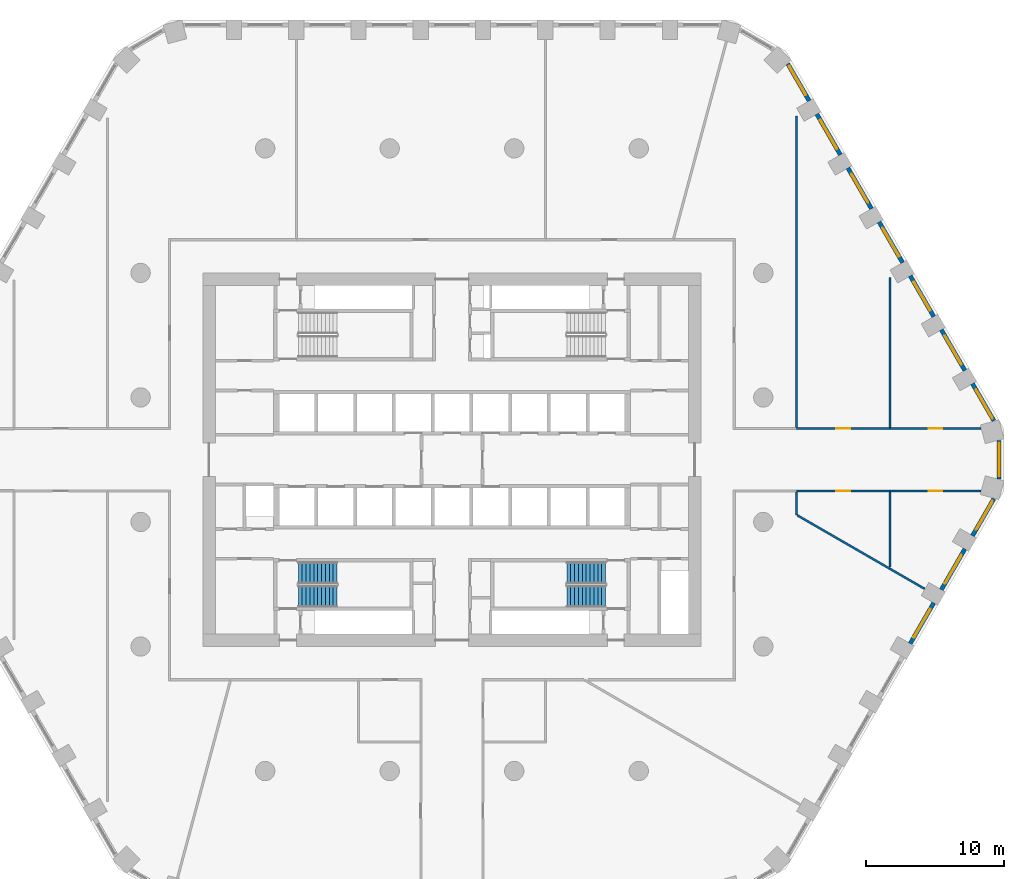
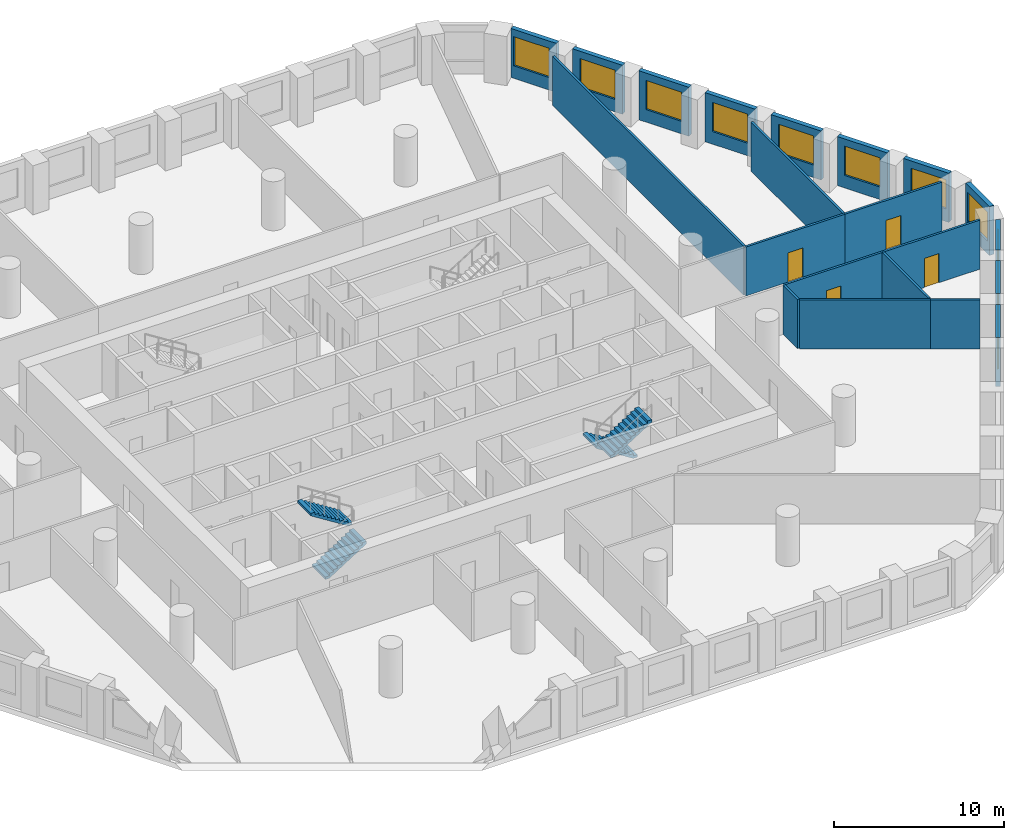
# One storey, part 8 of 10: 21 walls, 11 windows, 4 doors, 4 stair flights, 15 openings, 2 elements without a shape of their own.
"""IFC4 building model written with IfcOpenShell, lengths in metres."""

from ifc_helpers import new_model, si_unit, direction, frame, frame_2d, origin, place, context, subcontext, project, spatial, polyline, rectangle, outline, extrude, material, layer, layer_set, type_object, element, fill, aggregate, save


model = new_model("IFC4")

# Units and contexts
model_context = context("Model", 3, precision=1e-05, world=origin(), true_north=direction((0.0, 1.0)))
body_context = subcontext(model_context, "Body", "Model", "MODEL_VIEW")
ifc_project = project(units=[si_unit("LENGTHUNIT", "METRE"), si_unit("AREAUNIT", "SQUARE_METRE"), si_unit("VOLUMEUNIT", "CUBIC_METRE"), si_unit("PLANEANGLEUNIT", "RADIAN"), si_unit("MASSUNIT", "GRAM", prefix="KILO")], contexts=[model_context])

# Site, building, storey
site_placement = place(None, origin())
site = spatial("IfcSite", under=ifc_project, at=site_placement, CompositionType="ELEMENT")
building_placement = place(site_placement, origin())
building = spatial("IfcBuilding", under=site, at=building_placement, Name="Dhurran Vertical Campus", CompositionType="ELEMENT")
storey_placement = place(building_placement, frame((0.0, 0.0, 69.0)))
storey = spatial("IfcBuildingStorey", under=building, at=storey_placement, Name="L16", CompositionType="ELEMENT", Elevation=69.0)

# Wall, opening, window
ifc_material_1 = material(Name="Precast concrete C50/60", Category="concrete")
ifc_layer_1 = layer(ifc_material_1, 0.300048828125)
ifc_layer_set_1 = layer_set([ifc_layer_1], Name="Precast concrete C50/60")
wall_type_1 = type_object("IfcWallType", Name="Precast spandrel wall 300", PredefinedType="SOLIDWALL", material=ifc_layer_set_1)
wall_1_placement = place(storey_placement, frame((33.119384765625, -13.28955078125, 0.0), z_axis=(0.0, 0.0, 1.0), x_axis=(0.499993955907, 0.866028893315, 0.0)))
wall_1 = element("IfcWall", 1, at=wall_1_placement, inside=storey, type_object=wall_type_1, Name="EW1 L16.14", PredefinedType="SOLIDWALL", context=body_context, shape_type="SweptSolid", body=[
    extrude(rectangle(XDim=3.39892578125, YDim=0.300048828125, at=frame_2d((1.699462890625, 0.0))), origin(), (0.0, 0.0, 1.0), 3.52490234375),
])
opening_1_placement = place(wall_1_placement, frame((0.49951171875, 0.0, 0.89990234375)))
opening_1 = element("IfcOpeningElement", 2, at=opening_1_placement, cuts=wall_1, Name="Opening WT1", PredefinedType="OPENING", context=body_context, shape_type="SweptSolid", body=[
    extrude(rectangle(XDim=2.39990234375, YDim=2.10009765625, at=frame_2d((1.199951171875, 1.050048828125))), frame((0.0, 0.159912109375, 0.0), z_axis=(0.0, -1.0, 0.0), x_axis=(1.0, 0.0, 0.0)), (0.0, 0.0, 1.0), 0.320068359375),
])
ifc_material_2 = material(Name="Aluminium frame with solar-control glass", Category="aluminium")
window_type = type_object("IfcWindowType", Name="Punched window 2400 x 2100", PartitioningType="SINGLE_PANEL", PredefinedType="WINDOW", material=ifc_material_2)
window_1_placement = place(opening_1_placement, origin())
window_1 = element("IfcWindow", 3, at=window_1_placement, inside=storey, type_object=window_type, Name="WT1 L16.14", OverallHeight=2.10009765625, OverallWidth=2.39990234375, PartitioningType="SINGLE_PANEL", PredefinedType="WINDOW", context=body_context, shape_type="SweptSolid", body=[
    extrude(rectangle(XDim=2.39990234375, YDim=2.10009765625, at=frame_2d((1.199951171875, 1.050048828125))), frame((0.0, 0.030029296875, 0.0), z_axis=(0.0, -1.0, 0.0), x_axis=(1.0, 0.0, 0.0)), (0.0, 0.0, 1.0), 0.06005859375),
])
fill(opening_1, window_1)

wall_2_placement = place(storey_placement, frame((35.369384765625, -9.392578125, 0.0), z_axis=(0.0, 0.0, 1.0), x_axis=(0.499993955907, 0.866028893315, 0.0)))
wall_2 = element("IfcWall", 4, at=wall_2_placement, inside=storey, type_object=wall_type_1, Name="EW1 L16.15", PredefinedType="SOLIDWALL", context=body_context, shape_type="SweptSolid", body=[
    extrude(rectangle(XDim=3.39892578125, YDim=0.300048828125, at=frame_2d((1.699462890625, 0.0))), origin(), (0.0, 0.0, 1.0), 3.52490234375),
])
opening_2_placement = place(wall_2_placement, frame((0.49951171875, 0.0, 0.89990234375)))
opening_2 = element("IfcOpeningElement", 5, at=opening_2_placement, cuts=wall_2, Name="Opening WT1", PredefinedType="OPENING", context=body_context, shape_type="SweptSolid", body=[
    extrude(rectangle(XDim=2.39990234375, YDim=2.10009765625, at=frame_2d((1.199951171875, 1.050048828125))), frame((0.0, 0.159912109375, 0.0), z_axis=(0.0, -1.0, 0.0), x_axis=(1.0, 0.0, 0.0)), (0.0, 0.0, 1.0), 0.320068359375),
])
window_2_placement = place(opening_2_placement, origin())
window_2 = element("IfcWindow", 6, at=window_2_placement, inside=storey, type_object=window_type, Name="WT1 L16.15", OverallHeight=2.10009765625, OverallWidth=2.39990234375, PartitioningType="SINGLE_PANEL", PredefinedType="WINDOW", context=body_context, shape_type="SweptSolid", body=[
    extrude(rectangle(XDim=2.39990234375, YDim=2.10009765625, at=frame_2d((1.199951171875, 1.050048828125))), frame((0.0, 0.030029296875, 0.0), z_axis=(0.0, -1.0, 0.0), x_axis=(1.0, 0.0, 0.0)), (0.0, 0.0, 1.0), 0.06005859375),
])
fill(opening_2, window_2)

wall_3_placement = place(storey_placement, frame((37.619384765625, -5.495361328125, 0.0), z_axis=(0.0, 0.0, 1.0), x_axis=(0.49997090907, 0.866042198789, 0.0)))
wall_3 = element("IfcWall", 7, at=wall_3_placement, inside=storey, type_object=wall_type_1, Name="EW1 L16.16", PredefinedType="SOLIDWALL", context=body_context, shape_type="SweptSolid", body=[
    extrude(rectangle(XDim=3.090576171875, YDim=0.300048828125, at=frame_2d((1.54541015625, 0.0))), origin(), (0.0, 0.0, 1.0), 3.52490234375),
])
opening_3_placement = place(wall_3_placement, frame((0.49951171875, 0.0, 0.89990234375)))
opening_3 = element("IfcOpeningElement", 8, at=opening_3_placement, cuts=wall_3, Name="Opening WT1", PredefinedType="OPENING", context=body_context, shape_type="SweptSolid", body=[
    extrude(rectangle(XDim=2.39990234375, YDim=2.10009765625, at=frame_2d((1.199951171875, 1.050048828125))), frame((0.0, 0.159912109375, 0.0), z_axis=(0.0, -1.0, 0.0), x_axis=(1.0, 0.0, 0.0)), (0.0, 0.0, 1.0), 0.320068359375),
])
window_3_placement = place(opening_3_placement, origin())
window_3 = element("IfcWindow", 9, at=window_3_placement, inside=storey, type_object=window_type, Name="WT1 L16.16", OverallHeight=2.10009765625, OverallWidth=2.39990234375, PartitioningType="SINGLE_PANEL", PredefinedType="WINDOW", context=body_context, shape_type="SweptSolid", body=[
    extrude(rectangle(XDim=2.39990234375, YDim=2.10009765625, at=frame_2d((1.199951171875, 1.050048828125))), frame((0.0, 0.030029296875, 0.0), z_axis=(0.0, -1.0, 0.0), x_axis=(1.0, 0.0, 0.0)), (0.0, 0.0, 1.0), 0.06005859375),
])
fill(opening_3, window_3)

wall_4_placement = place(storey_placement, frame((39.547119140625, -1.39111328125, 0.0), z_axis=(0.0, 0.0, 1.0), x_axis=(0.0, 1.0, 0.0)))
wall_4 = element("IfcWall", 10, at=wall_4_placement, inside=storey, type_object=wall_type_1, Name="EW1 L16.17", PredefinedType="SOLIDWALL", context=body_context, shape_type="SweptSolid", body=[
    extrude(rectangle(XDim=2.7822265625, YDim=0.300048828125, at=frame_2d((1.39111328125, 0.0))), origin(), (0.0, 0.0, 1.0), 3.52490234375),
])
opening_4_placement = place(wall_4_placement, frame((0.191162109375, 0.0, 0.89990234375)))
opening_4 = element("IfcOpeningElement", 11, at=opening_4_placement, cuts=wall_4, Name="Opening WT1", PredefinedType="OPENING", context=body_context, shape_type="SweptSolid", body=[
    extrude(rectangle(XDim=2.39990234375, YDim=2.10009765625, at=frame_2d((1.199951171875, 1.050048828125))), frame((0.0, 0.159912109375, 0.0), z_axis=(0.0, -1.0, 0.0), x_axis=(1.0, 0.0, 0.0)), (0.0, 0.0, 1.0), 0.320068359375),
])
window_4_placement = place(opening_4_placement, origin())
window_4 = element("IfcWindow", 12, at=window_4_placement, inside=storey, type_object=window_type, Name="WT1 L16.17", OverallHeight=2.10009765625, OverallWidth=2.39990234375, PartitioningType="SINGLE_PANEL", PredefinedType="WINDOW", context=body_context, shape_type="SweptSolid", body=[
    extrude(rectangle(XDim=2.39990234375, YDim=2.10009765625, at=frame_2d((1.199951171875, 1.050048828125))), frame((0.0, 0.030029296875, 0.0), z_axis=(0.0, -1.0, 0.0), x_axis=(1.0, 0.0, 0.0)), (0.0, 0.0, 1.0), 0.06005859375),
])
fill(opening_4, window_4)

wall_5_placement = place(storey_placement, frame((39.16455078125, 2.81884765625, 0.0), z_axis=(0.0, 0.0, 1.0), x_axis=(-0.49997090907, 0.866042198789, 0.0)))
wall_5 = element("IfcWall", 13, at=wall_5_placement, inside=storey, type_object=wall_type_1, Name="EW1 L16.18", PredefinedType="SOLIDWALL", context=body_context, shape_type="SweptSolid", body=[
    extrude(rectangle(XDim=3.090576171875, YDim=0.300048828125, at=frame_2d((1.54541015625, 0.0))), origin(), (0.0, 0.0, 1.0), 3.52490234375),
])
opening_5_placement = place(wall_5_placement, frame((0.19091796875, 0.0, 0.89990234375)))
opening_5 = element("IfcOpeningElement", 14, at=opening_5_placement, cuts=wall_5, Name="Opening WT1", PredefinedType="OPENING", context=body_context, shape_type="SweptSolid", body=[
    extrude(rectangle(XDim=2.39990234375, YDim=2.10009765625, at=frame_2d((1.199951171875, 1.050048828125))), frame((0.0, 0.159912109375, 0.0), z_axis=(0.0, -1.0, 0.0), x_axis=(1.0, 0.0, 0.0)), (0.0, 0.0, 1.0), 0.320068359375),
])
window_5_placement = place(opening_5_placement, origin())
window_5 = element("IfcWindow", 15, at=window_5_placement, inside=storey, type_object=window_type, Name="WT1 L16.18", OverallHeight=2.10009765625, OverallWidth=2.39990234375, PartitioningType="SINGLE_PANEL", PredefinedType="WINDOW", context=body_context, shape_type="SweptSolid", body=[
    extrude(rectangle(XDim=2.39990234375, YDim=2.10009765625, at=frame_2d((1.199951171875, 1.050048828125))), frame((0.0, 0.030029296875, 0.0), z_axis=(0.0, -1.0, 0.0), x_axis=(1.0, 0.0, 0.0)), (0.0, 0.0, 1.0), 0.06005859375),
])
fill(opening_5, window_5)

wall_6_placement = place(storey_placement, frame((37.06884765625, 6.448974609375, 0.0), z_axis=(0.0, 0.0, 1.0), x_axis=(-0.499993955907, 0.866028893315, 0.0)))
wall_6 = element("IfcWall", 16, at=wall_6_placement, inside=storey, type_object=wall_type_1, Name="EW1 L16.19", PredefinedType="SOLIDWALL", context=body_context, shape_type="SweptSolid", body=[
    extrude(rectangle(XDim=3.39892578125, YDim=0.300048828125, at=frame_2d((1.699462890625, 0.0))), origin(), (0.0, 0.0, 1.0), 3.52490234375),
])
opening_6_placement = place(wall_6_placement, frame((0.49951171875, 0.0, 0.89990234375)))
opening_6 = element("IfcOpeningElement", 17, at=opening_6_placement, cuts=wall_6, Name="Opening WT1", PredefinedType="OPENING", context=body_context, shape_type="SweptSolid", body=[
    extrude(rectangle(XDim=2.39990234375, YDim=2.10009765625, at=frame_2d((1.199951171875, 1.050048828125))), frame((0.0, 0.159912109375, 0.0), z_axis=(0.0, -1.0, 0.0), x_axis=(1.0, 0.0, 0.0)), (0.0, 0.0, 1.0), 0.320068359375),
])
window_6_placement = place(opening_6_placement, origin())
window_6 = element("IfcWindow", 18, at=window_6_placement, inside=storey, type_object=window_type, Name="WT1 L16.19", OverallHeight=2.10009765625, OverallWidth=2.39990234375, PartitioningType="SINGLE_PANEL", PredefinedType="WINDOW", context=body_context, shape_type="SweptSolid", body=[
    extrude(rectangle(XDim=2.39990234375, YDim=2.10009765625, at=frame_2d((1.199951171875, 1.050048828125))), frame((0.0, 0.030029296875, 0.0), z_axis=(0.0, -1.0, 0.0), x_axis=(1.0, 0.0, 0.0)), (0.0, 0.0, 1.0), 0.06005859375),
])
fill(opening_6, window_6)

wall_7_placement = place(storey_placement, frame((34.81884765625, 10.345947265625, 0.0), z_axis=(0.0, 0.0, 1.0), x_axis=(-0.499993955907, 0.866028893315, 0.0)))
wall_7 = element("IfcWall", 19, at=wall_7_placement, inside=storey, type_object=wall_type_1, Name="EW1 L16.20", PredefinedType="SOLIDWALL", context=body_context, shape_type="SweptSolid", body=[
    extrude(rectangle(XDim=3.39892578125, YDim=0.300048828125, at=frame_2d((1.699462890625, 0.0))), origin(), (0.0, 0.0, 1.0), 3.52490234375),
])
opening_7_placement = place(wall_7_placement, frame((0.49951171875, 0.0, 0.89990234375)))
opening_7 = element("IfcOpeningElement", 20, at=opening_7_placement, cuts=wall_7, Name="Opening WT1", PredefinedType="OPENING", context=body_context, shape_type="SweptSolid", body=[
    extrude(rectangle(XDim=2.39990234375, YDim=2.10009765625, at=frame_2d((1.199951171875, 1.050048828125))), frame((0.0, 0.159912109375, 0.0), z_axis=(0.0, -1.0, 0.0), x_axis=(1.0, 0.0, 0.0)), (0.0, 0.0, 1.0), 0.320068359375),
])
window_7_placement = place(opening_7_placement, origin())
window_7 = element("IfcWindow", 21, at=window_7_placement, inside=storey, type_object=window_type, Name="WT1 L16.20", OverallHeight=2.10009765625, OverallWidth=2.39990234375, PartitioningType="SINGLE_PANEL", PredefinedType="WINDOW", context=body_context, shape_type="SweptSolid", body=[
    extrude(rectangle(XDim=2.39990234375, YDim=2.10009765625, at=frame_2d((1.199951171875, 1.050048828125))), frame((0.0, 0.030029296875, 0.0), z_axis=(0.0, -1.0, 0.0), x_axis=(1.0, 0.0, 0.0)), (0.0, 0.0, 1.0), 0.06005859375),
])
fill(opening_7, window_7)

wall_8_placement = place(storey_placement, frame((32.56884765625, 14.2431640625, 0.0), z_axis=(0.0, 0.0, 1.0), x_axis=(-0.499993955907, 0.866028893315, 0.0)))
wall_8 = element("IfcWall", 22, at=wall_8_placement, inside=storey, type_object=wall_type_1, Name="EW1 L16.21", PredefinedType="SOLIDWALL", context=body_context, shape_type="SweptSolid", body=[
    extrude(rectangle(XDim=3.39892578125, YDim=0.300048828125, at=frame_2d((1.699462890625, 0.0))), origin(), (0.0, 0.0, 1.0), 3.52490234375),
])
opening_8_placement = place(wall_8_placement, frame((0.49951171875, 0.0, 0.89990234375)))
opening_8 = element("IfcOpeningElement", 23, at=opening_8_placement, cuts=wall_8, Name="Opening WT1", PredefinedType="OPENING", context=body_context, shape_type="SweptSolid", body=[
    extrude(rectangle(XDim=2.39990234375, YDim=2.10009765625, at=frame_2d((1.199951171875, 1.050048828125))), frame((0.0, 0.159912109375, 0.0), z_axis=(0.0, -1.0, 0.0), x_axis=(1.0, 0.0, 0.0)), (0.0, 0.0, 1.0), 0.320068359375),
])
window_8_placement = place(opening_8_placement, origin())
window_8 = element("IfcWindow", 24, at=window_8_placement, inside=storey, type_object=window_type, Name="WT1 L16.21", OverallHeight=2.10009765625, OverallWidth=2.39990234375, PartitioningType="SINGLE_PANEL", PredefinedType="WINDOW", context=body_context, shape_type="SweptSolid", body=[
    extrude(rectangle(XDim=2.39990234375, YDim=2.10009765625, at=frame_2d((1.199951171875, 1.050048828125))), frame((0.0, 0.030029296875, 0.0), z_axis=(0.0, -1.0, 0.0), x_axis=(1.0, 0.0, 0.0)), (0.0, 0.0, 1.0), 0.06005859375),
])
fill(opening_8, window_8)

wall_9_placement = place(storey_placement, frame((30.31884765625, 18.14013671875, 0.0), z_axis=(0.0, 0.0, 1.0), x_axis=(-0.499993955907, 0.866028893315, 0.0)))
wall_9 = element("IfcWall", 25, at=wall_9_placement, inside=storey, type_object=wall_type_1, Name="EW1 L16.22", PredefinedType="SOLIDWALL", context=body_context, shape_type="SweptSolid", body=[
    extrude(rectangle(XDim=3.39892578125, YDim=0.300048828125, at=frame_2d((1.699462890625, 0.0))), origin(), (0.0, 0.0, 1.0), 3.52490234375),
])
opening_9_placement = place(wall_9_placement, frame((0.49951171875, 0.0, 0.89990234375)))
opening_9 = element("IfcOpeningElement", 26, at=opening_9_placement, cuts=wall_9, Name="Opening WT1", PredefinedType="OPENING", context=body_context, shape_type="SweptSolid", body=[
    extrude(rectangle(XDim=2.39990234375, YDim=2.10009765625, at=frame_2d((1.199951171875, 1.050048828125))), frame((0.0, 0.159912109375, 0.0), z_axis=(0.0, -1.0, 0.0), x_axis=(1.0, 0.0, 0.0)), (0.0, 0.0, 1.0), 0.320068359375),
])
window_9_placement = place(opening_9_placement, origin())
window_9 = element("IfcWindow", 27, at=window_9_placement, inside=storey, type_object=window_type, Name="WT1 L16.22", OverallHeight=2.10009765625, OverallWidth=2.39990234375, PartitioningType="SINGLE_PANEL", PredefinedType="WINDOW", context=body_context, shape_type="SweptSolid", body=[
    extrude(rectangle(XDim=2.39990234375, YDim=2.10009765625, at=frame_2d((1.199951171875, 1.050048828125))), frame((0.0, 0.030029296875, 0.0), z_axis=(0.0, -1.0, 0.0), x_axis=(1.0, 0.0, 0.0)), (0.0, 0.0, 1.0), 0.06005859375),
])
fill(opening_9, window_9)

wall_10_placement = place(storey_placement, frame((28.06884765625, 22.037353515625, 0.0), z_axis=(0.0, 0.0, 1.0), x_axis=(-0.499993955907, 0.866028893315, 0.0)))
wall_10 = element("IfcWall", 28, at=wall_10_placement, inside=storey, type_object=wall_type_1, Name="EW1 L16.23", PredefinedType="SOLIDWALL", context=body_context, shape_type="SweptSolid", body=[
    extrude(rectangle(XDim=3.39892578125, YDim=0.300048828125, at=frame_2d((1.699462890625, 0.0))), origin(), (0.0, 0.0, 1.0), 3.52490234375),
])
opening_10_placement = place(wall_10_placement, frame((0.49951171875, 0.0, 0.89990234375)))
opening_10 = element("IfcOpeningElement", 29, at=opening_10_placement, cuts=wall_10, Name="Opening WT1", PredefinedType="OPENING", context=body_context, shape_type="SweptSolid", body=[
    extrude(rectangle(XDim=2.39990234375, YDim=2.10009765625, at=frame_2d((1.199951171875, 1.050048828125))), frame((0.0, 0.159912109375, 0.0), z_axis=(0.0, -1.0, 0.0), x_axis=(1.0, 0.0, 0.0)), (0.0, 0.0, 1.0), 0.320068359375),
])
window_10_placement = place(opening_10_placement, origin())
window_10 = element("IfcWindow", 30, at=window_10_placement, inside=storey, type_object=window_type, Name="WT1 L16.23", OverallHeight=2.10009765625, OverallWidth=2.39990234375, PartitioningType="SINGLE_PANEL", PredefinedType="WINDOW", context=body_context, shape_type="SweptSolid", body=[
    extrude(rectangle(XDim=2.39990234375, YDim=2.10009765625, at=frame_2d((1.199951171875, 1.050048828125))), frame((0.0, 0.030029296875, 0.0), z_axis=(0.0, -1.0, 0.0), x_axis=(1.0, 0.0, 0.0)), (0.0, 0.0, 1.0), 0.06005859375),
])
fill(opening_10, window_10)

wall_11_placement = place(storey_placement, frame((25.81884765625, 25.934326171875, 0.0), z_axis=(0.0, 0.0, 1.0), x_axis=(-0.499995950774, 0.866027741594, 0.0)))
wall_11 = element("IfcWall", 31, at=wall_11_placement, inside=storey, type_object=wall_type_1, Name="EW1 L16.24", PredefinedType="SOLIDWALL", context=body_context, shape_type="SweptSolid", body=[
    extrude(rectangle(XDim=3.0908203125, YDim=0.300048828125, at=frame_2d((1.54541015625, 0.0))), origin(), (0.0, 0.0, 1.0), 3.52490234375),
])
opening_11_placement = place(wall_11_placement, frame((0.49951171875, 0.0, 0.89990234375)))
opening_11 = element("IfcOpeningElement", 32, at=opening_11_placement, cuts=wall_11, Name="Opening WT1", PredefinedType="OPENING", context=body_context, shape_type="SweptSolid", body=[
    extrude(rectangle(XDim=2.39990234375, YDim=2.10009765625, at=frame_2d((1.199951171875, 1.050048828125))), frame((0.0, 0.159912109375, 0.0), z_axis=(0.0, -1.0, 0.0), x_axis=(1.0, 0.0, 0.0)), (0.0, 0.0, 1.0), 0.320068359375),
])
window_11_placement = place(opening_11_placement, origin())
window_11 = element("IfcWindow", 33, at=window_11_placement, inside=storey, type_object=window_type, Name="WT1 L16.24", OverallHeight=2.10009765625, OverallWidth=2.39990234375, PartitioningType="SINGLE_PANEL", PredefinedType="WINDOW", context=body_context, shape_type="SweptSolid", body=[
    extrude(rectangle(XDim=2.39990234375, YDim=2.10009765625, at=frame_2d((1.199951171875, 1.050048828125))), frame((0.0, 0.030029296875, 0.0), z_axis=(0.0, -1.0, 0.0), x_axis=(1.0, 0.0, 0.0)), (0.0, 0.0, 1.0), 0.06005859375),
])
fill(opening_11, window_11)

# Wall, opening, door
ifc_material_3 = material(Name="Gypsum board corridor wall on steel studs", Category="steel")
ifc_layer_2 = layer(ifc_material_3, 0.14990234375)
ifc_layer_set_2 = layer_set([ifc_layer_2], Name="Gypsum board corridor wall on steel studs")
wall_type_2 = type_object("IfcWallType", Name="fl-CW-150 corridor wall", PredefinedType="PARTITIONING", material=ifc_layer_set_2)
wall_12_placement = place(storey_placement, frame((31.64990234375, -2.25, 0.0), z_axis=(0.0, 0.0, 1.0), x_axis=(-1.0, 0.0, 0.0)))
wall_12 = element("IfcWall", 34, at=wall_12_placement, inside=storey, type_object=wall_type_2, Name="Partition 16-42", PredefinedType="PARTITIONING", context=body_context, shape_type="SweptSolid", body=[
    extrude(rectangle(XDim=6.75, YDim=0.14990234375, at=frame_2d((3.375, 0.0))), origin(), (0.0, 0.0, 1.0), 3.52490234375),
])
opening_12_placement = place(wall_12_placement, frame((2.875, 0.0, 0.0)))
opening_12 = element("IfcOpeningElement", 35, at=opening_12_placement, cuts=wall_12, Name="Opening T04.16", PredefinedType="OPENING", context=body_context, shape_type="SweptSolid", body=[
    extrude(rectangle(XDim=1.0, YDim=2.10009765625, at=frame_2d((0.5, 1.050048828125))), frame((0.0, 0.0849609375, 0.0), z_axis=(0.0, -1.0, 0.0), x_axis=(1.0, 0.0, 0.0)), (0.0, 0.0, 1.0), 0.169921875),
])
ifc_material_4 = material(Name="Solid-core timber door set, fire-rated", Category="wood")
door_type = type_object("IfcDoorType", Name="fl-D-1000x2100", OperationType="SINGLE_SWING_LEFT", PredefinedType="DOOR", material=ifc_material_4)
door_1_placement = place(opening_12_placement, origin())
door_1 = element("IfcDoor", 36, at=door_1_placement, inside=storey, type_object=door_type, Name="Door 16.16", OperationType="SINGLE_SWING_LEFT", OverallHeight=2.10009765625, OverallWidth=1.0, PredefinedType="DOOR", context=body_context, shape_type="SweptSolid", body=[
    extrude(rectangle(XDim=1.0, YDim=2.10009765625, at=frame_2d((0.5, 1.050048828125))), frame((0.0, 0.02490234375, 0.0), z_axis=(0.0, -1.0, 0.0), x_axis=(1.0, 0.0, 0.0)), (0.0, 0.0, 1.0), 0.050048828125),
])
fill(opening_12, door_1)

wall_13_placement = place(storey_placement, frame((24.89990234375, 2.25, 0.0), z_axis=(0.0, 0.0, 1.0), x_axis=(1.0, 0.0, 0.0)))
wall_13 = element("IfcWall", 37, at=wall_13_placement, inside=storey, type_object=wall_type_2, Name="Partition 16-44", PredefinedType="PARTITIONING", context=body_context, shape_type="SweptSolid", body=[
    extrude(rectangle(XDim=6.75, YDim=0.14990234375, at=frame_2d((3.375, 0.0))), origin(), (0.0, 0.0, 1.0), 3.52490234375),
])
opening_13_placement = place(wall_13_placement, frame((2.875, 0.0, 0.0)))
opening_13 = element("IfcOpeningElement", 38, at=opening_13_placement, cuts=wall_13, Name="Opening T04.15", PredefinedType="OPENING", context=body_context, shape_type="SweptSolid", body=[
    extrude(rectangle(XDim=1.0, YDim=2.10009765625, at=frame_2d((0.5, 1.050048828125))), frame((0.0, 0.0849609375, 0.0), z_axis=(0.0, -1.0, 0.0), x_axis=(1.0, 0.0, 0.0)), (0.0, 0.0, 1.0), 0.169921875),
])
door_2_placement = place(opening_13_placement, origin())
door_2 = element("IfcDoor", 39, at=door_2_placement, inside=storey, type_object=door_type, Name="Door 16.15", OperationType="SINGLE_SWING_RIGHT", OverallHeight=2.10009765625, OverallWidth=1.0, PredefinedType="DOOR", context=body_context, shape_type="SweptSolid", body=[
    extrude(rectangle(XDim=1.0, YDim=2.10009765625, at=frame_2d((0.5, 1.050048828125))), frame((0.0, 0.02490234375, 0.0), z_axis=(0.0, -1.0, 0.0), x_axis=(1.0, 0.0, 0.0)), (0.0, 0.0, 1.0), 0.050048828125),
])
fill(opening_13, door_2)

wall_14_placement = place(storey_placement, frame((38.23291015625, -2.25, 0.0), z_axis=(0.0, 0.0, 1.0), x_axis=(-1.0, 0.0, 0.0)))
wall_14 = element("IfcWall", 40, at=wall_14_placement, inside=storey, type_object=wall_type_2, Name="Partition 16-47", PredefinedType="PARTITIONING", context=body_context, shape_type="SweptSolid", body=[
    extrude(rectangle(XDim=6.5830078125, YDim=0.14990234375, at=frame_2d((3.29150390625, 0.0))), origin(), (0.0, 0.0, 1.0), 3.52490234375),
])
opening_14_placement = place(wall_14_placement, frame((2.79150390625, 0.0, 0.0)))
opening_14 = element("IfcOpeningElement", 41, at=opening_14_placement, cuts=wall_14, Name="Opening T04.18", PredefinedType="OPENING", context=body_context, shape_type="SweptSolid", body=[
    extrude(rectangle(XDim=1.0, YDim=2.10009765625, at=frame_2d((0.5, 1.050048828125))), frame((0.0, 0.0849609375, 0.0), z_axis=(0.0, -1.0, 0.0), x_axis=(1.0, 0.0, 0.0)), (0.0, 0.0, 1.0), 0.169921875),
])
door_3_placement = place(opening_14_placement, origin())
door_3 = element("IfcDoor", 42, at=door_3_placement, inside=storey, type_object=door_type, Name="Door 16.18", OperationType="SINGLE_SWING_LEFT", OverallHeight=2.10009765625, OverallWidth=1.0, PredefinedType="DOOR", context=body_context, shape_type="SweptSolid", body=[
    extrude(rectangle(XDim=1.0, YDim=2.10009765625, at=frame_2d((0.5, 1.050048828125))), frame((0.0, 0.02490234375, 0.0), z_axis=(0.0, -1.0, 0.0), x_axis=(1.0, 0.0, 0.0)), (0.0, 0.0, 1.0), 0.050048828125),
])
fill(opening_14, door_3)

wall_15_placement = place(storey_placement, frame((31.64990234375, 2.25, 0.0), z_axis=(0.0, 0.0, 1.0), x_axis=(1.0, 0.0, 0.0)))
wall_15 = element("IfcWall", 43, at=wall_15_placement, inside=storey, type_object=wall_type_2, Name="Partition 16-49", PredefinedType="PARTITIONING", context=body_context, shape_type="SweptSolid", body=[
    extrude(rectangle(XDim=6.5830078125, YDim=0.14990234375, at=frame_2d((3.29150390625, 0.0))), origin(), (0.0, 0.0, 1.0), 3.52490234375),
])
opening_15_placement = place(wall_15_placement, frame((2.79150390625, 0.0, 0.0)))
opening_15 = element("IfcOpeningElement", 44, at=opening_15_placement, cuts=wall_15, Name="Opening T04.17", PredefinedType="OPENING", context=body_context, shape_type="SweptSolid", body=[
    extrude(rectangle(XDim=1.0, YDim=2.10009765625, at=frame_2d((0.5, 1.050048828125))), frame((0.0, 0.0849609375, 0.0), z_axis=(0.0, -1.0, 0.0), x_axis=(1.0, 0.0, 0.0)), (0.0, 0.0, 1.0), 0.169921875),
])
door_4_placement = place(opening_15_placement, origin())
door_4 = element("IfcDoor", 45, at=door_4_placement, inside=storey, type_object=door_type, Name="Door 16.17", OperationType="SINGLE_SWING_RIGHT", OverallHeight=2.10009765625, OverallWidth=1.0, PredefinedType="DOOR", context=body_context, shape_type="SweptSolid", body=[
    extrude(rectangle(XDim=1.0, YDim=2.10009765625, at=frame_2d((0.5, 1.050048828125))), frame((0.0, 0.02490234375, 0.0), z_axis=(0.0, -1.0, 0.0), x_axis=(1.0, 0.0, 0.0)), (0.0, 0.0, 1.0), 0.050048828125),
])
fill(opening_15, door_4)

# Walls
ifc_material_5 = material(Name="Folding acoustic partition panels")
ifc_layer_3 = layer(ifc_material_5, 0.14990234375)
ifc_layer_set_3 = layer_set([ifc_layer_3], Name="Folding acoustic partition panels")
wall_type_3 = type_object("IfcWallType", Name="fl-MW-150 movable partition", PredefinedType="MOVABLE", material=ifc_layer_set_3)
wall_16_placement = place(storey_placement, frame((31.64990234375, 13.152099609375, 0.0), z_axis=(0.0, 0.0, 1.0), x_axis=(0.0, -1.0, 0.0)))
element("IfcWall", 46, at=wall_16_placement, inside=storey, type_object=wall_type_3, Name="Partition 16-48", PredefinedType="MOVABLE", context=body_context, shape_type="SweptSolid", body=[
    extrude(rectangle(XDim=10.8271484375, YDim=0.14990234375, at=frame_2d((5.41357421875, 0.0))), origin(), (0.0, 0.0, 1.0), 3.52490234375),
])
ifc_material_6 = material(Name="Gypsum board partition on steel studs", Category="steel")
ifc_layer_4 = layer(ifc_material_6, 0.14990234375)
ifc_layer_set_4 = layer_set([ifc_layer_4], Name="Gypsum board partition on steel studs")
wall_type_4 = type_object("IfcWallType", Name="fl-PW-150 fixed partition", PredefinedType="PARTITIONING", material=ifc_layer_set_4)
wall_17_placement = place(storey_placement, frame((24.89990234375, -2.324951171875, 0.0), z_axis=(0.0, 0.0, 1.0), x_axis=(0.0, -1.0, 0.0)))
element("IfcWall", 47, at=wall_17_placement, inside=storey, type_object=wall_type_4, Name="Partition 16-40", PredefinedType="PARTITIONING", context=body_context, shape_type="SweptSolid", body=[
    extrude(rectangle(XDim=1.68408203125, YDim=0.14990234375, at=frame_2d((0.842041015625, 0.0))), origin(), (0.0, 0.0, 1.0), 3.52490234375),
])
wall_18_placement = place(storey_placement, frame((24.965087890625, -4.021484375, 0.0), z_axis=(0.0, 0.0, 1.0), x_axis=(0.866017566024, -0.500013575153, 0.0)))
element("IfcWall", 48, at=wall_18_placement, inside=storey, type_object=wall_type_4, Name="Partition 16-41", PredefinedType="PARTITIONING", context=body_context, shape_type="SweptSolid", body=[
    extrude(rectangle(XDim=7.718994140625, YDim=0.14990234375, at=frame_2d((3.859375, 0.0))), origin(), (0.0, 0.0, 1.0), 3.52490234375),
])
wall_19_placement = place(storey_placement, frame((24.89990234375, 24.843017578125, 0.0), z_axis=(0.0, 0.0, 1.0), x_axis=(0.0, -1.0, 0.0)))
element("IfcWall", 49, at=wall_19_placement, inside=storey, type_object=wall_type_4, Name="Partition 16-43", PredefinedType="PARTITIONING", context=body_context, shape_type="SweptSolid", body=[
    extrude(rectangle(XDim=22.51806640625, YDim=0.14990234375, at=frame_2d((11.259033203125, 0.0))), origin(), (0.0, 0.0, 1.0), 3.52490234375),
])
wall_20_placement = place(storey_placement, frame((31.64990234375, -2.324951171875, 0.0), z_axis=(0.0, 0.0, 1.0), x_axis=(0.0, -1.0, 0.0)))
element("IfcWall", 50, at=wall_20_placement, inside=storey, type_object=wall_type_4, Name="Partition 16-45", PredefinedType="PARTITIONING", context=body_context, shape_type="SweptSolid", body=[
    extrude(rectangle(XDim=5.426025390625, YDim=0.14990234375, at=frame_2d((2.712890625, 0.0))), origin(), (0.0, 0.0, 1.0), 3.52490234375),
])
wall_21_placement = place(storey_placement, frame((31.64990234375, -7.881103515625, 0.0), z_axis=(0.0, 0.0, 1.0), x_axis=(0.866063904005, -0.499933309731, 0.0)))
element("IfcWall", 51, at=wall_21_placement, inside=storey, type_object=wall_type_4, Name="Partition 16-46", PredefinedType="PARTITIONING", context=body_context, shape_type="SweptSolid", body=[
    extrude(rectangle(XDim=2.90673828125, YDim=0.14990234375, at=frame_2d((1.453369140625, 0.0))), origin(), (0.0, 0.0, 1.0), 3.52490234375),
])

# Stair, stair flights
ifc_material_7 = material(Name="Concrete C40/50", Category="concrete")
stair_type = type_object("IfcStairType", Name="co-ST-CORE", PredefinedType="HALF_TURN_STAIR", material=ifc_material_7)
stair_1_placement = place(storey_placement, origin())
stair_1 = element("IfcStair", 52, at=stair_1_placement, inside=storey, type_object=stair_type, Name="L16 Protected exit stair ST3", PredefinedType="HALF_TURN_STAIR")
ifc_material_8 = material(Name="Concrete C40/50", Category="concrete")
stair_flight_type = type_object("IfcStairFlightType", Name="co-SFL-RC", PredefinedType="STRAIGHT", material=ifc_material_8)
stair_flight_1_placement = place(storey_placement, frame((-11.10009765625, -9.875, 0.0), z_axis=(0.0, 0.0, 1.0), x_axis=(1.0, 0.0, 0.0)))
stair_flight_1 = element("IfcStairFlight", 53, at=stair_flight_1_placement, type_object=stair_flight_type, Name="ST3 flight 1", NumberOfRisers=11, NumberOfTreads=10, PredefinedType="STRAIGHT", RiserHeight=0.177272727, TreadLength=0.28, context=body_context, shape_type="SweptSolid", body=[
    extrude(outline(polyline([(0.0, 0.0), (0.0, 0.17724609375), (0.280029296875, 0.17724609375), (0.280029296875, 0.3544921875), (0.56005859375, 0.3544921875), (0.56005859375, 0.53173828125), (0.840087890625, 0.53173828125), (0.840087890625, 0.708984375), (1.1201171875, 0.708984375), (1.1201171875, 0.886474609375), (1.39990234375, 0.886474609375), (1.39990234375, 1.063720703125), (1.679931640625, 1.063720703125), (1.679931640625, 1.240966796875), (1.9599609375, 1.240966796875), (1.9599609375, 1.418212890625), (2.239990234375, 1.418212890625), (2.239990234375, 1.595458984375), (2.52001953125, 1.595458984375), (2.52001953125, 1.772705078125), (2.800048828125, 1.772705078125), (2.800048828125, 1.949951171875), (2.800048828125, 1.59521484375), (0.2802734375, 0.0), (0.0, 0.0)])), frame((0.0, 0.77490234375, 0.0), z_axis=(0.0, -1.0, 0.0), x_axis=(1.0, 0.0, 0.0)), (0.0, 0.0, 1.0), 1.550048828125),
])
stair_flight_2_placement = place(storey_placement, frame((-8.300048828125, -8.175048828125, 1.949951171875), z_axis=(0.0, 0.0, 1.0), x_axis=(-1.0, 0.0, 0.0)))
stair_flight_2 = element("IfcStairFlight", 54, at=stair_flight_2_placement, type_object=stair_flight_type, Name="ST3 flight 2", NumberOfRisers=11, NumberOfTreads=10, PredefinedType="STRAIGHT", RiserHeight=0.177272727, TreadLength=0.28, context=body_context, shape_type="SweptSolid", body=[
    extrude(outline(polyline([(0.0, 0.0), (0.0, 0.17724609375), (0.280029296875, 0.17724609375), (0.280029296875, 0.3544921875), (0.56005859375, 0.3544921875), (0.56005859375, 0.53173828125), (0.840087890625, 0.53173828125), (0.840087890625, 0.708984375), (1.1201171875, 0.708984375), (1.1201171875, 0.886474609375), (1.39990234375, 0.886474609375), (1.39990234375, 1.063720703125), (1.679931640625, 1.063720703125), (1.679931640625, 1.240966796875), (1.9599609375, 1.240966796875), (1.9599609375, 1.418212890625), (2.239990234375, 1.418212890625), (2.239990234375, 1.595458984375), (2.52001953125, 1.595458984375), (2.52001953125, 1.772705078125), (2.800048828125, 1.772705078125), (2.800048828125, 1.949951171875), (2.800048828125, 1.59521484375), (0.2802734375, 0.0), (0.0, 0.0)])), frame((0.0, 0.77490234375, 0.0), z_axis=(0.0, -1.0, 0.0), x_axis=(1.0, 0.0, 0.0)), (0.0, 0.0, 1.0), 1.550048828125),
])
aggregate(stair_1, [stair_flight_1, stair_flight_2])

stair_2_placement = place(storey_placement, origin())
stair_2 = element("IfcStair", 55, at=stair_2_placement, inside=storey, type_object=stair_type, Name="L16 Protected exit stair ST4", PredefinedType="HALF_TURN_STAIR")
stair_flight_3_placement = place(storey_placement, frame((11.10009765625, -8.175048828125, 0.0), z_axis=(0.0, 0.0, 1.0), x_axis=(-1.0, 0.0, 0.0)))
stair_flight_3 = element("IfcStairFlight", 56, at=stair_flight_3_placement, type_object=stair_flight_type, Name="ST4 flight 1", NumberOfRisers=11, NumberOfTreads=10, PredefinedType="STRAIGHT", RiserHeight=0.177272727, TreadLength=0.28, context=body_context, shape_type="SweptSolid", body=[
    extrude(outline(polyline([(0.0, 0.0), (0.0, 0.17724609375), (0.280029296875, 0.17724609375), (0.280029296875, 0.3544921875), (0.56005859375, 0.3544921875), (0.56005859375, 0.53173828125), (0.840087890625, 0.53173828125), (0.840087890625, 0.708984375), (1.1201171875, 0.708984375), (1.1201171875, 0.886474609375), (1.39990234375, 0.886474609375), (1.39990234375, 1.063720703125), (1.679931640625, 1.063720703125), (1.679931640625, 1.240966796875), (1.9599609375, 1.240966796875), (1.9599609375, 1.418212890625), (2.239990234375, 1.418212890625), (2.239990234375, 1.595458984375), (2.52001953125, 1.595458984375), (2.52001953125, 1.772705078125), (2.800048828125, 1.772705078125), (2.800048828125, 1.949951171875), (2.800048828125, 1.59521484375), (0.2802734375, 0.0), (0.0, 0.0)])), frame((0.0, 0.77490234375, 0.0), z_axis=(0.0, -1.0, 0.0), x_axis=(1.0, 0.0, 0.0)), (0.0, 0.0, 1.0), 1.550048828125),
])
stair_flight_4_placement = place(storey_placement, frame((8.300048828125, -9.875, 1.949951171875), z_axis=(0.0, 0.0, 1.0), x_axis=(1.0, 0.0, 0.0)))
stair_flight_4 = element("IfcStairFlight", 57, at=stair_flight_4_placement, type_object=stair_flight_type, Name="ST4 flight 2", NumberOfRisers=11, NumberOfTreads=10, PredefinedType="STRAIGHT", RiserHeight=0.177272727, TreadLength=0.28, context=body_context, shape_type="SweptSolid", body=[
    extrude(outline(polyline([(0.0, 0.0), (0.0, 0.17724609375), (0.280029296875, 0.17724609375), (0.280029296875, 0.3544921875), (0.56005859375, 0.3544921875), (0.56005859375, 0.53173828125), (0.840087890625, 0.53173828125), (0.840087890625, 0.708984375), (1.1201171875, 0.708984375), (1.1201171875, 0.886474609375), (1.39990234375, 0.886474609375), (1.39990234375, 1.063720703125), (1.679931640625, 1.063720703125), (1.679931640625, 1.240966796875), (1.9599609375, 1.240966796875), (1.9599609375, 1.418212890625), (2.239990234375, 1.418212890625), (2.239990234375, 1.595458984375), (2.52001953125, 1.595458984375), (2.52001953125, 1.772705078125), (2.800048828125, 1.772705078125), (2.800048828125, 1.949951171875), (2.800048828125, 1.59521484375), (0.2802734375, 0.0), (0.0, 0.0)])), frame((0.0, 0.77490234375, 0.0), z_axis=(0.0, -1.0, 0.0), x_axis=(1.0, 0.0, 0.0)), (0.0, 0.0, 1.0), 1.550048828125),
])
aggregate(stair_2, [stair_flight_3, stair_flight_4])

save(model, "model.ifc")
